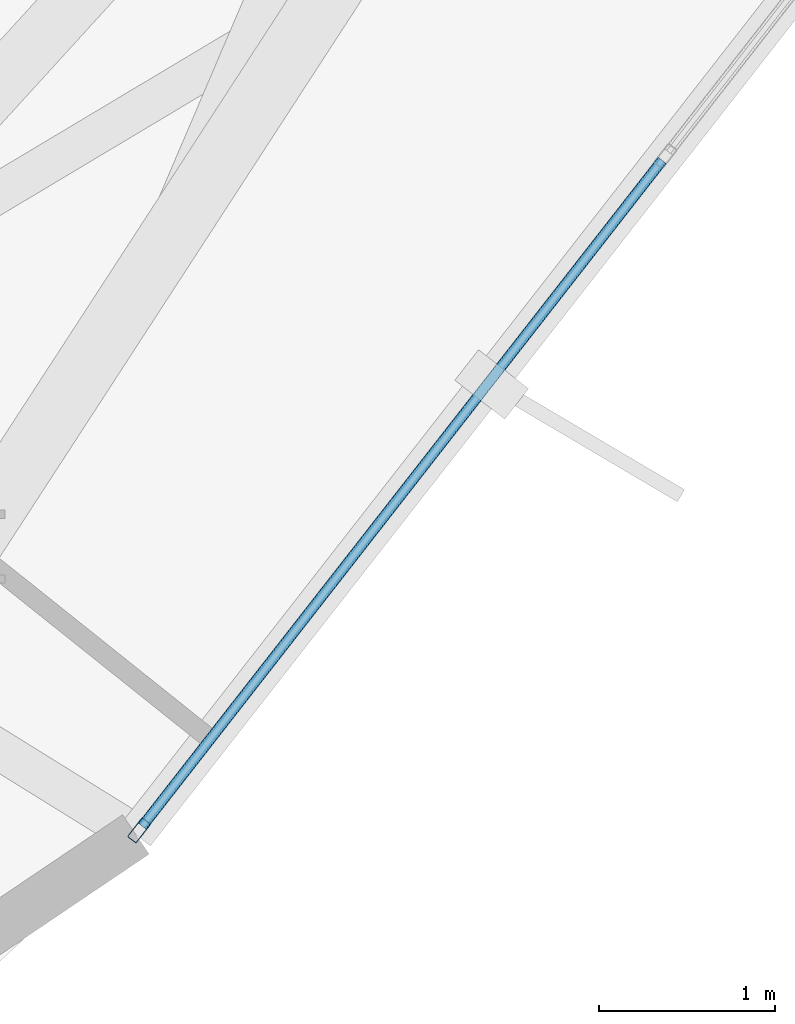
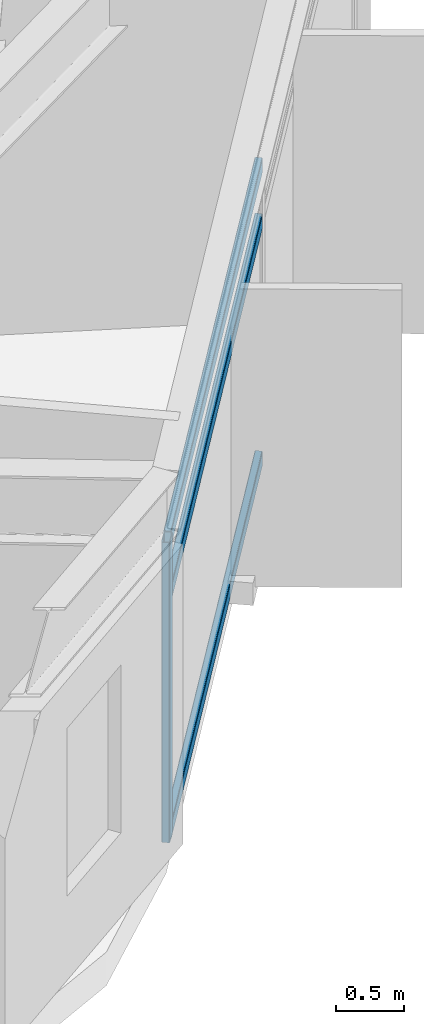
# One storey, part 9 of 30: 4 members, 1 element without a shape of its own.
"""IFC4 building model written with IfcOpenShell, lengths in metres."""

from ifc_helpers import new_model, si_unit, direction, frame, origin, origin_2d, place, context, subcontext, project, spatial, hollow_rectangle, extrude, material, layer, layer_set, material_profile, profile_set, type_object, element, aggregate, save


model = new_model("IFC4")

# Units and contexts
model_context = context("Model", 3, precision=1e-05, world=origin(), true_north=direction((0.0, 1.0)))
body_context = subcontext(model_context, "Body", "Model", "MODEL_VIEW")
ifc_project = project(units=[si_unit("LENGTHUNIT", "METRE"), si_unit("AREAUNIT", "SQUARE_METRE"), si_unit("VOLUMEUNIT", "CUBIC_METRE"), si_unit("PLANEANGLEUNIT", "RADIAN"), si_unit("MASSUNIT", "GRAM", prefix="KILO")], contexts=[model_context])

# Site, building, storey
site_placement = place(None, origin())
site = spatial("IfcSite", under=ifc_project, at=site_placement, CompositionType="ELEMENT")
building_placement = place(site_placement, origin())
building = spatial("IfcBuilding", under=site, at=building_placement, Name="Soratama Intermodal Tower", CompositionType="ELEMENT")
storey_placement = place(building_placement, frame((0.0, 0.0, 223.0)))
storey = spatial("IfcBuildingStorey", under=building, at=storey_placement, Name="L56", CompositionType="ELEMENT", Elevation=223.0)

# Curtain wall, members
ifc_material_1 = material(Name="Double-glazed aluminium curtain wall", Category="aluminium")
ifc_layer = layer(ifc_material_1, 0.159912109375)
ifc_layer_set = layer_set([ifc_layer], Name="Double-glazed aluminium curtain wall")
curtain_wall_type = type_object("IfcCurtainWallType", Name="CW-SYS-5", PredefinedType="NOTDEFINED", material=ifc_layer_set)
curtain_wall_placement = place(storey_placement, origin())
curtain_wall = element("IfcCurtainWall", 1, at=curtain_wall_placement, inside=storey, type_object=curtain_wall_type, Name="L56 Faceted Curtain Wall F08", PredefinedType="NOTDEFINED")
ifc_material_2 = material(Name="Anodised aluminium AA 6063-T6", Category="aluminium")
ifc_material_profile_1 = material_profile(ifc_material_2, hollow_rectangle(XDim=0.06494140625, YDim=0.139892578125, WallThickness=0.0048828125, InnerFilletRadius=0.0048828125, OuterFilletRadius=0.010009765625, at=origin_2d()), Name="CWM140X65X5")
ifc_profile_set_1 = profile_set([ifc_material_profile_1], Name="Anodised aluminium AA 6063-T6")
member_type_1 = type_object("IfcMemberType", Name="MT-CWM-5", PredefinedType="MULLION", material=ifc_profile_set_1)
member_1_placement = place(storey_placement, frame((57.67138671875, 8.93017578125, 0.0), z_axis=(0.0, 0.0, 1.0), x_axis=(-0.788224252464, 0.615388111542, 0.0)))
member_1 = element("IfcMember", 2, at=member_1_placement, type_object=member_type_1, Name="CW-5 mullion 1", PredefinedType="MULLION", context=body_context, shape_type="SweptSolid", body=[
    extrude(hollow_rectangle(XDim=0.06494140625, YDim=0.139892578125, WallThickness=0.0048828125, InnerFilletRadius=0.0048828125, OuterFilletRadius=0.010009765625, at=origin_2d()), origin(), (0.0, 0.0, 1.0), 2.678955078125),
])
ifc_material_3 = material(Name="Anodised aluminium AA 6063-T6", Category="aluminium")
ifc_material_profile_2 = material_profile(ifc_material_3, hollow_rectangle(XDim=0.06005859375, YDim=0.1298828125, WallThickness=0.0048828125, InnerFilletRadius=0.0048828125, OuterFilletRadius=0.010009765625, at=origin_2d()), Name="CWT130X60X5")
ifc_profile_set_2 = profile_set([ifc_material_profile_2], Name="Anodised aluminium AA 6063-T6")
member_type_2 = type_object("IfcMemberType", Name="TT-CWT-2", PredefinedType="USERDEFINED", material=ifc_profile_set_2)
member_2_placement = place(storey_placement, frame((57.68994140625, 8.953857421875, 0.030029296875), z_axis=(0.615394743949, 0.788219074318, 0.0), x_axis=(-0.788219074318, 0.615394743949, 0.0)))
member_2 = element("IfcMember", 3, at=member_2_placement, type_object=member_type_2, Name="CW-5 transom 1.1", ObjectType="TRANSOM", PredefinedType="USERDEFINED", context=body_context, shape_type="SweptSolid", body=[
    extrude(hollow_rectangle(XDim=0.06005859375, YDim=0.1298828125, WallThickness=0.0048828125, InnerFilletRadius=0.0048828125, OuterFilletRadius=0.010009765625, at=origin_2d()), origin(), (0.0, 0.0, 1.0), 4.80859375),
])
member_3_placement = place(storey_placement, frame((57.68994140625, 8.953857421875, 2.14990234375), z_axis=(0.615394743949, 0.788219074318, 0.0), x_axis=(-0.788219074318, 0.615394743949, 0.0)))
member_3 = element("IfcMember", 4, at=member_3_placement, type_object=member_type_2, Name="CW-5 transom 1.2", ObjectType="TRANSOM", PredefinedType="USERDEFINED", context=body_context, shape_type="SweptSolid", body=[
    extrude(hollow_rectangle(XDim=0.06005859375, YDim=0.1298828125, WallThickness=0.0048828125, InnerFilletRadius=0.0048828125, OuterFilletRadius=0.010009765625, at=origin_2d()), origin(), (0.0, 0.0, 1.0), 4.80859375),
])
member_4_placement = place(storey_placement, frame((57.68994140625, 8.953857421875, 2.64892578125), z_axis=(0.615394743949, 0.788219074318, 0.0), x_axis=(-0.788219074318, 0.615394743949, 0.0)))
member_4 = element("IfcMember", 5, at=member_4_placement, type_object=member_type_2, Name="CW-5 transom 1.3", ObjectType="TRANSOM", PredefinedType="USERDEFINED", context=body_context, shape_type="SweptSolid", body=[
    extrude(hollow_rectangle(XDim=0.06005859375, YDim=0.1298828125, WallThickness=0.0048828125, InnerFilletRadius=0.0048828125, OuterFilletRadius=0.010009765625, at=origin_2d()), origin(), (0.0, 0.0, 1.0), 4.80859375),
])
aggregate(curtain_wall, [member_1, member_2, member_3, member_4])

save(model, "model.ifc")
